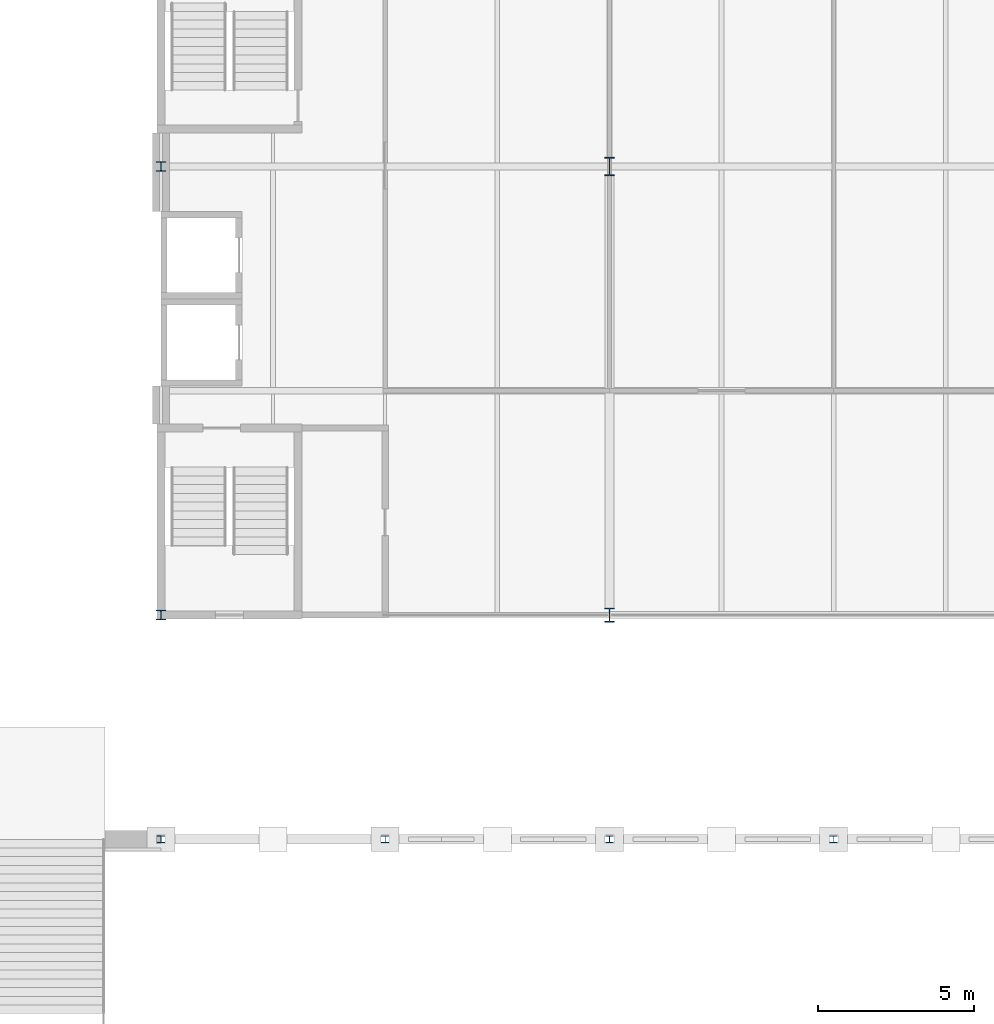
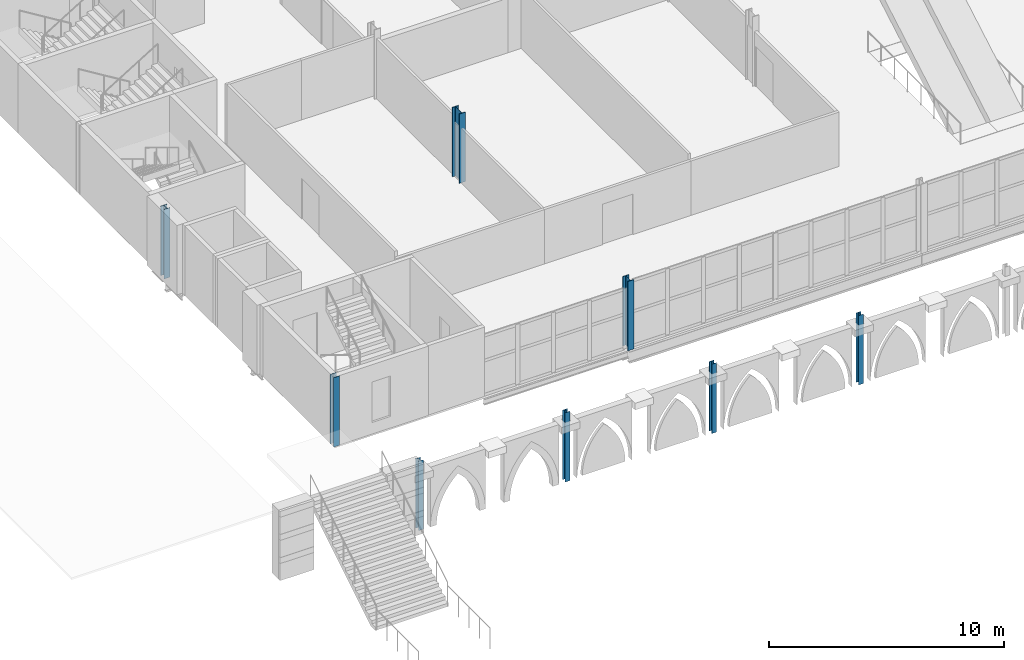
# One storey, part 1 of 90: 8 columns.
"""IFC4 building model written with IfcOpenShell, lengths in metres."""

from ifc_helpers import new_model, si_unit, direction, frame, origin, origin_2d, place, context, subcontext, project, spatial, i_section, extrude, material, material_profile, profile_set, type_object, element, save


model = new_model("IFC4")

# Units and contexts
model_context = context("Model", 3, precision=1e-05, world=origin(), true_north=direction((0.0, 1.0)))
body_context = subcontext(model_context, "Body", "Model", "MODEL_VIEW")
ifc_project = project(units=[si_unit("LENGTHUNIT", "METRE"), si_unit("AREAUNIT", "SQUARE_METRE"), si_unit("VOLUMEUNIT", "CUBIC_METRE"), si_unit("PLANEANGLEUNIT", "RADIAN"), si_unit("MASSUNIT", "GRAM", prefix="KILO")], contexts=[model_context])

# Site, building, storey
site_placement = place(None, origin())
site = spatial("IfcSite", under=ifc_project, at=site_placement, CompositionType="ELEMENT")
building_placement = place(site_placement, origin())
building = spatial("IfcBuilding", under=site, at=building_placement, Name="Kupolbacken Congress Centre", CompositionType="ELEMENT")
storey_placement = place(building_placement, frame((0.0, 0.0, 3.60009765625)))
storey = spatial("IfcBuildingStorey", under=building, at=storey_placement, Name="L01", CompositionType="ELEMENT", Elevation=3.60009765625)

# Columns
ifc_material_1 = material(Name="Steel S355", Category="steel")
ifc_material_profile_1 = material_profile(ifc_material_1, i_section(OverallWidth=0.300048828125, OverallDepth=0.449951171875, WebThickness=0.013916015625, FlangeThickness=0.02587890625, FilletRadius=0.027099609375, at=origin_2d()), Name="HEB 450")
ifc_profile_set_1 = profile_set([ifc_material_profile_1], Name="Steel S355")
column_type_1 = type_object("IfcColumnType", Name="C03 column HEB 450", PredefinedType="COLUMN", material=ifc_profile_set_1)
column_1_placement = place(storey_placement, frame((21.60009765625, 28.800048828125, 0.0), z_axis=(0.0, 0.0, 1.0), x_axis=(1.0, 0.0, 0.0)))
element("IfcColumn", 1, at=column_1_placement, inside=storey, type_object=column_type_1, Name="S/col/C-F-4E/L01", PredefinedType="COLUMN", context=body_context, shape_type="SweptSolid", body=[
    extrude(i_section(OverallWidth=0.300048828125, OverallDepth=0.449951171875, WebThickness=0.013916015625, FlangeThickness=0.02587890625, FilletRadius=0.027099609375, at=origin_2d()), origin(), (0.0, 0.0, 1.0), 3.599853515625),
])
ifc_material_2 = material(Name="Steel S355", Category="steel")
ifc_material_profile_2 = material_profile(ifc_material_2, i_section(OverallWidth=0.300048828125, OverallDepth=0.60009765625, WebThickness=0.015380859375, FlangeThickness=0.030029296875, FilletRadius=0.027099609375, at=origin_2d()), Name="HEB 600")
ifc_profile_set_2 = profile_set([ifc_material_profile_2], Name="Steel S355")
column_type_2 = type_object("IfcColumnType", Name="C05 column HEB 600", PredefinedType="COLUMN", material=ifc_profile_set_2)
column_2_placement = place(storey_placement, frame((21.60009765625, 43.199951171875, 0.0), z_axis=(0.0, 0.0, 1.0), x_axis=(1.0, 0.0, 0.0)))
element("IfcColumn", 2, at=column_2_placement, inside=storey, type_object=column_type_2, Name="S/col/C-F-4G/L01", PredefinedType="COLUMN", context=body_context, shape_type="SweptSolid", body=[
    extrude(i_section(OverallWidth=0.300048828125, OverallDepth=0.60009765625, WebThickness=0.015380859375, FlangeThickness=0.030029296875, FilletRadius=0.027099609375, at=origin_2d()), origin(), (0.0, 0.0, 1.0), 3.599853515625),
])
ifc_material_3 = material(Name="Steel S355", Category="steel")
ifc_material_profile_3 = material_profile(ifc_material_3, i_section(OverallWidth=0.300048828125, OverallDepth=0.300048828125, WebThickness=0.010986328125, FlangeThickness=0.01904296875, FilletRadius=0.027099609375, at=origin_2d()), Name="HEB 300")
ifc_profile_set_3 = profile_set([ifc_material_profile_3], Name="Steel S355")
column_type_3 = type_object("IfcColumnType", Name="C06 column HEB 300", PredefinedType="COLUMN", material=ifc_profile_set_3)
for number, where, z_axis, x_axis, name in (
    (3, (7.199951171875, 28.800048828125, 0.0), (0.0, 0.0, 1.0), (1.0, 0.0, 0.0), "S/col/C-F-2E/L01"),
    (4, (7.199951171875, 43.199951171875, 0.0), (0.0, 0.0, 1.0), (1.0, 0.0, 0.0), "S/col/C-F-2G/L01"),
):
    element("IfcColumn", number, at=place(storey_placement, frame(where, z_axis=z_axis, x_axis=x_axis)), inside=storey, type_object=column_type_3, Name=name, PredefinedType="COLUMN", context=body_context, shape_type="SweptSolid", body=[
        extrude(i_section(OverallWidth=0.300048828125, OverallDepth=0.300048828125, WebThickness=0.010986328125, FlangeThickness=0.01904296875, FilletRadius=0.027099609375, at=origin_2d()), origin(), (0.0, 0.0, 1.0), 3.599853515625),
    ])
ifc_material_4 = material(Name="Steel S355", Category="steel")
ifc_material_profile_4 = material_profile(ifc_material_4, i_section(OverallWidth=0.239990234375, OverallDepth=0.22998046875, WebThickness=0.007568359375, FlangeThickness=0.011962890625, FilletRadius=0.02099609375, at=origin_2d()), Name="HEA 240")
ifc_profile_set_4 = profile_set([ifc_material_profile_4], Name="Steel S355")
column_type_4 = type_object("IfcColumnType", Name="C10 column HEA 240", PredefinedType="COLUMN", material=ifc_profile_set_4)
for number, where, z_axis, x_axis, name in (
    (5, (7.199951171875, 21.60009765625, 0.0), (0.0, 0.0, 1.0), (1.0, 0.0, 0.0), "S/col/C-AR-2/L01"),
    (6, (14.39990234375, 21.60009765625, 0.0), (0.0, 0.0, 1.0), (1.0, 0.0, 0.0), "S/col/C-AR-3/L01"),
    (7, (21.60009765625, 21.60009765625, 0.0), (0.0, 0.0, 1.0), (1.0, 0.0, 0.0), "S/col/C-AR-4/L01"),
    (8, (28.800048828125, 21.60009765625, 0.0), (0.0, 0.0, 1.0), (1.0, 0.0, 0.0), "S/col/C-AR-5/L01"),
):
    element("IfcColumn", number, at=place(storey_placement, frame(where, z_axis=z_axis, x_axis=x_axis)), inside=storey, type_object=column_type_4, Name=name, PredefinedType="COLUMN", context=body_context, shape_type="SweptSolid", body=[
        extrude(i_section(OverallWidth=0.239990234375, OverallDepth=0.22998046875, WebThickness=0.007568359375, FlangeThickness=0.011962890625, FilletRadius=0.02099609375, at=origin_2d()), origin(), (0.0, 0.0, 1.0), 3.599853515625),
    ])

save(model, "model.ifc")
